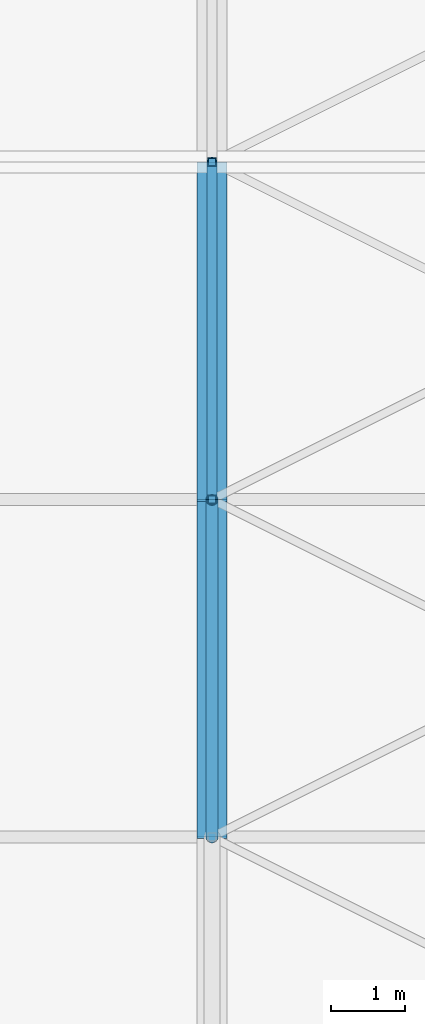
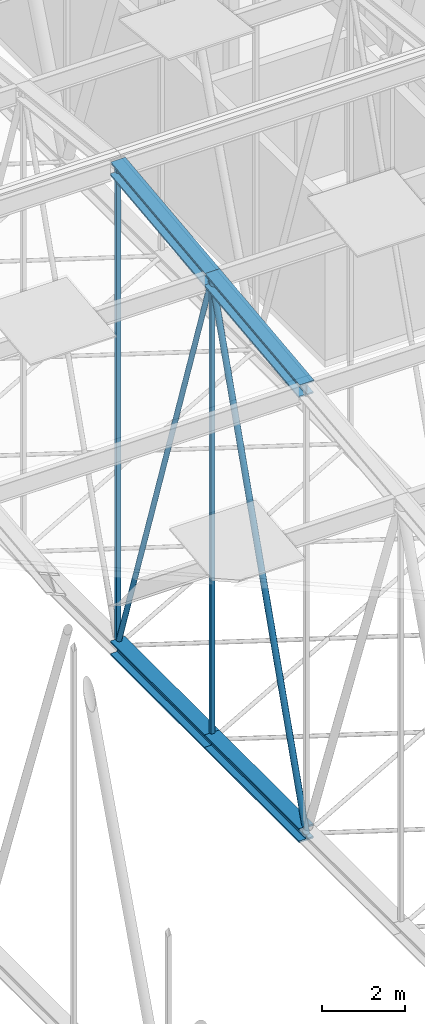
# One storey, part 158 of 500: 8 members.
"""IFC4 building model written with IfcOpenShell, lengths in metres."""

from ifc_helpers import new_model, si_unit, direction, frame, origin, origin_2d, place, context, subcontext, project, spatial, hollow_rectangle, hollow_circle, i_section, extrude, material, material_profile, profile_set, type_object, element, save


model = new_model("IFC4")

# Units and contexts
model_context = context("Model", 3, precision=1e-05, world=origin(), true_north=direction((0.0, 1.0)))
body_context = subcontext(model_context, "Body", "Model", "MODEL_VIEW")
ifc_project = project(units=[si_unit("LENGTHUNIT", "METRE"), si_unit("AREAUNIT", "SQUARE_METRE"), si_unit("VOLUMEUNIT", "CUBIC_METRE"), si_unit("PLANEANGLEUNIT", "RADIAN"), si_unit("MASSUNIT", "GRAM", prefix="KILO")], contexts=[model_context])

# Site, building, storey
site_placement = place(None, origin())
site = spatial("IfcSite", under=ifc_project, at=site_placement, CompositionType="ELEMENT")
building_placement = place(site_placement, origin())
building = spatial("IfcBuilding", under=site, at=building_placement, Name="Shirokan Park Arena", CompositionType="ELEMENT")
storey_placement = place(building_placement, frame((0.0, 0.0, 29.1201171875)))
storey = spatial("IfcBuildingStorey", under=building, at=storey_placement, Name="L06", CompositionType="ELEMENT", Elevation=29.1201171875)

# Members
ifc_material_1 = material(Name="Steel ASTM A992", Category="steel")
ifc_material_profile_1 = material_profile(ifc_material_1, i_section(OverallWidth=0.406005859375, OverallDepth=0.4169921875, WebThickness=0.030029296875, FlangeThickness=0.048095703125, at=origin_2d()), Name="W360X382")
ifc_profile_set_1 = profile_set([ifc_material_profile_1], Name="Steel ASTM A992")
member_type_1 = type_object("IfcMemberType", Name="Bottom chord W360X382", PredefinedType="CHORD", material=ifc_profile_set_1)
for number, where, z_axis, x_axis, name in (
    (1, (91.0, 45.5, 4.677001953125), (0.0, 1.0, 0.0), (-1.0, 0.0, 0.0), "Truss T11 bottom chord 13"),
    (2, (91.0, 50.050048828125, 4.677001953125), (0.0, 1.0, 0.0), (-1.0, 0.0, 0.0), "Truss T11 bottom chord 14"),
):
    element("IfcMember", number, at=place(storey_placement, frame(where, z_axis=z_axis, x_axis=x_axis)), inside=storey, type_object=member_type_1, Name=name, PredefinedType="CHORD", context=body_context, shape_type="SweptSolid", body=[
        extrude(i_section(OverallWidth=0.406005859375, OverallDepth=0.4169921875, WebThickness=0.030029296875, FlangeThickness=0.048095703125, at=origin_2d()), origin(), (0.0, 0.0, 1.0), 4.550048828125),
    ])
ifc_material_profile_2 = material_profile(ifc_material_1, i_section(OverallWidth=0.406005859375, OverallDepth=0.4169921875, WebThickness=0.030029296875, FlangeThickness=0.048095703125, at=origin_2d()), Name="W360X382")
ifc_profile_set_2 = profile_set([ifc_material_profile_2], Name="Steel ASTM A992")
member_type_2 = type_object("IfcMemberType", Name="Top chord W360X382", PredefinedType="CHORD", material=ifc_profile_set_2)
for number, where, z_axis, x_axis, name in (
    (3, (91.0, 45.5, 17.741455078125), (0.0, 0.993532328996, 0.113549598152), (-1.0, 0.0, 0.0), "Truss T11 top chord 13"),
    (4, (91.0, 50.050048828125, 18.261474609375), (0.0, 0.993532328996, 0.113549598152), (-1.0, 0.0, 0.0), "Truss T11 top chord 14"),
):
    element("IfcMember", number, at=place(storey_placement, frame(where, z_axis=z_axis, x_axis=x_axis)), inside=storey, type_object=member_type_2, Name=name, PredefinedType="CHORD", context=body_context, shape_type="SweptSolid", body=[
        extrude(i_section(OverallWidth=0.406005859375, OverallDepth=0.4169921875, WebThickness=0.030029296875, FlangeThickness=0.048095703125, at=origin_2d()), origin(), (0.0, 0.0, 1.0), 4.57958984375),
    ])
ifc_material_2 = material(Name="Steel ASTM A500 Grade C", Category="steel")
ifc_material_profile_3 = material_profile(ifc_material_2, hollow_circle(Radius=0.070556640625, WallThickness=0.006591796875, at=origin_2d()), Name="HSS141.3X6.6")
ifc_profile_set_3 = profile_set([ifc_material_profile_3], Name="Steel ASTM A500 Grade C")
member_type_3 = type_object("IfcMemberType", Name="Truss diagonal HSS141.3X6.6", PredefinedType="BRACE", material=ifc_profile_set_3)
member_1_placement = place(storey_placement, frame((91.0, 50.050048828125, 18.261474609375), z_axis=(0.0, 0.317602683872, -0.948223884532), x_axis=(-1.0, 0.0, 0.0)))
element("IfcMember", 5, at=member_1_placement, inside=storey, type_object=member_type_3, Name="Truss T11 diagonal 14", PredefinedType="BRACE", context=body_context, shape_type="SweptSolid", body=[
    extrude(hollow_circle(Radius=0.070556640625, WallThickness=0.006591796875, at=origin_2d()), origin(), (0.0, 0.0, 1.0), 14.326171875),
])
ifc_material_profile_4 = material_profile(ifc_material_2, hollow_circle(Radius=0.083984375, WallThickness=0.009521484375, at=origin_2d()), Name="HSS168.3X9.5")
ifc_profile_set_4 = profile_set([ifc_material_profile_4], Name="Steel ASTM A500 Grade C")
member_type_4 = type_object("IfcMemberType", Name="Truss diagonal HSS168.3X9.5", PredefinedType="BRACE", material=ifc_profile_set_4)
member_2_placement = place(storey_placement, frame((91.0, 45.5, 4.677001953125), z_axis=(0.0, 0.317602683872, 0.948223884532), x_axis=(-1.0, 0.0, 0.0)))
element("IfcMember", 6, at=member_2_placement, inside=storey, type_object=member_type_4, Name="Truss T11 diagonal 13", PredefinedType="BRACE", context=body_context, shape_type="SweptSolid", body=[
    extrude(hollow_circle(Radius=0.083984375, WallThickness=0.009521484375, at=origin_2d()), origin(), (0.0, 0.0, 1.0), 14.326171875),
])
ifc_material_profile_5 = material_profile(ifc_material_2, hollow_rectangle(XDim=0.114013671875, YDim=0.114013671875, WallThickness=0.00634765625, at=origin_2d()), Name="HSS114.3X114.3X6.4")
ifc_profile_set_5 = profile_set([ifc_material_profile_5], Name="Steel ASTM A500 Grade C")
member_type_5 = type_object("IfcMemberType", Name="Truss post HSS114.3X114.3X6.4", PredefinedType="POST", material=ifc_profile_set_5)
member_3_placement = place(storey_placement, frame((91.0, 50.050048828125, 4.677001953125), z_axis=(0.0, 0.0, 1.0), x_axis=(1.0, 0.0, 0.0)))
element("IfcMember", 7, at=member_3_placement, inside=storey, type_object=member_type_5, Name="Truss T11 post 14", PredefinedType="POST", context=body_context, shape_type="SweptSolid", body=[
    extrude(hollow_rectangle(XDim=0.114013671875, YDim=0.114013671875, WallThickness=0.00634765625, at=origin_2d()), origin(), (0.0, 0.0, 1.0), 13.58447265625),
])
member_4_placement = place(storey_placement, frame((91.0, 54.60009765625, 4.677001953125), z_axis=(0.0, 0.0, 1.0), x_axis=(1.0, 0.0, 0.0)))
element("IfcMember", 8, at=member_4_placement, inside=storey, type_object=member_type_5, Name="Truss T11 post 15", PredefinedType="POST", context=body_context, shape_type="SweptSolid", body=[
    extrude(hollow_rectangle(XDim=0.114013671875, YDim=0.114013671875, WallThickness=0.00634765625, at=origin_2d()), origin(), (0.0, 0.0, 1.0), 14.1044921875),
])

save(model, "model.ifc")
